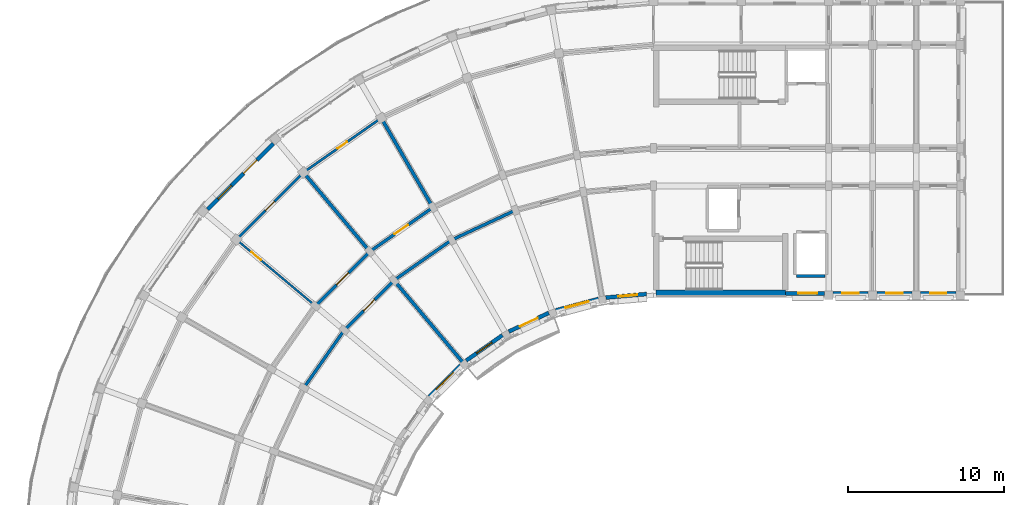
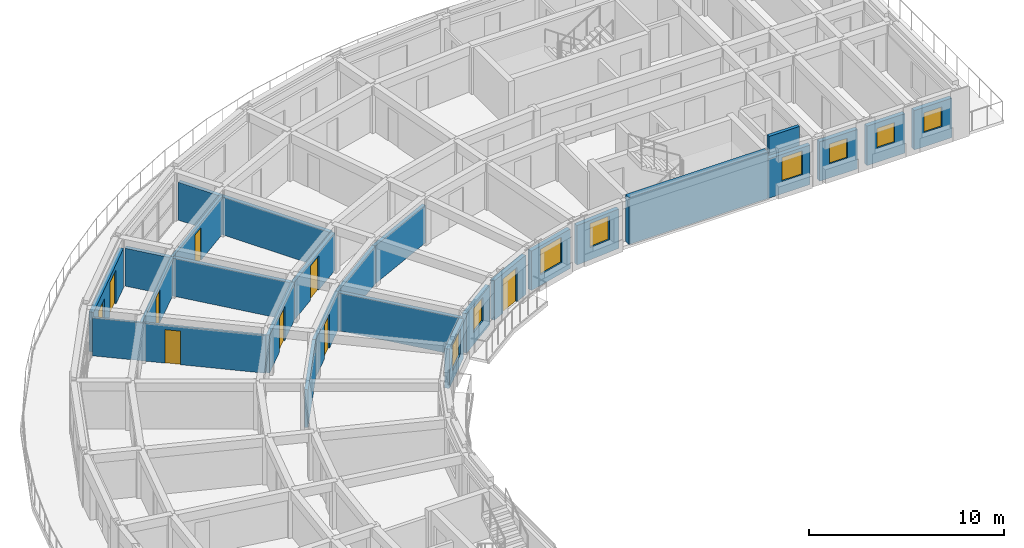
# One storey, part 8 of 16: 24 walls, 9 windows, 8 doors, 17 openings.
"""IFC4 building model written with IfcOpenShell, lengths in metres."""

from ifc_helpers import new_model, si_unit, direction, frame, frame_2d, origin, place, context, subcontext, project, spatial, rectangle, extrude, material, layer, layer_set, type_object, element, fill, save


model = new_model("IFC4")

# Units and contexts
model_context = context("Model", 3, precision=1e-05, world=origin(), true_north=direction((0.0, 1.0)))
body_context = subcontext(model_context, "Body", "Model", "MODEL_VIEW")
ifc_project = project(units=[si_unit("LENGTHUNIT", "METRE"), si_unit("AREAUNIT", "SQUARE_METRE"), si_unit("VOLUMEUNIT", "CUBIC_METRE"), si_unit("PLANEANGLEUNIT", "RADIAN"), si_unit("MASSUNIT", "GRAM", prefix="KILO")], contexts=[model_context])

# Site, building, storey
site_placement = place(None, origin())
site = spatial("IfcSite", under=ifc_project, at=site_placement, CompositionType="ELEMENT")
building_placement = place(site_placement, origin())
building = spatial("IfcBuilding", under=site, at=building_placement, Name="Kiranvali Square Residences", CompositionType="ELEMENT")
storey_placement = place(building_placement, frame((0.0, 0.0, 46.5)))
storey = spatial("IfcBuildingStorey", under=building, at=storey_placement, Name="L14", CompositionType="ELEMENT", Elevation=46.5)

# Walls
ifc_material_1 = material(Name="Autoclaved aerated concrete blockwork masonry", Category="masonry")
ifc_layer_1 = layer(ifc_material_1, 0.199951171875)
ifc_layer_set_1 = layer_set([ifc_layer_1], Name="Autoclaved aerated concrete blockwork masonry")
wall_type_1 = type_object("IfcWallType", Name="WL-COR-200", PredefinedType="STANDARD", material=ifc_layer_set_1)
for number, where, z_axis, x_axis, name in (
    (1, (39.3759765625, 112.044189453125, 0.0), (0.0, 0.0, 1.0), (-0.906307919131, -0.422617978463, 0.0), "L14 architectural wall WL-L14-A-CCI-2"),
    (2, (35.300048828125, 110.1435546875, 0.0), (0.0, 0.0, 1.0), (-0.819155404658, -0.573571637217, 0.0), "L14 architectural wall WL-L14-A-CCI-3"),
):
    element("IfcWall", number, at=place(storey_placement, frame(where, z_axis=z_axis, x_axis=x_axis)), inside=storey, type_object=wall_type_1, Name=name, PredefinedType="STANDARD", context=body_context, shape_type="SweptSolid", body=[
        extrude(rectangle(XDim=4.497314453125, YDim=0.199951171875, at=frame_2d((2.24853515625, 0.0))), origin(), (0.0, 0.0, 1.0), 2.3720703125),
    ])

# Wall, opening, door
wall_1_placement = place(storey_placement, frame((34.10009765625, 112.221923828125, 0.0), z_axis=(0.0, 0.0, 1.0), x_axis=(-0.819140911474, -0.573592335331, 0.0)))
wall_1 = element("IfcWall", 3, at=wall_1_placement, inside=storey, type_object=wall_type_1, Name="L14 architectural wall WL-L14-A-CCO-3", PredefinedType="STANDARD", context=body_context, shape_type="SweptSolid", body=[
    extrude(rectangle(XDim=4.915771484375, YDim=0.199951171875, at=frame_2d((2.4580078125, 0.0))), origin(), (0.0, 0.0, 1.0), 2.3720703125),
])
opening_1_placement = place(wall_1_placement, frame((1.937744140625, 0.0, 0.0)))
opening_1 = element("IfcOpeningElement", 4, at=opening_1_placement, cuts=wall_1, Name="Opening FD-APT-60B", PredefinedType="OPENING", context=body_context, shape_type="SweptSolid", body=[
    extrude(rectangle(XDim=1.0400390625, YDim=2.14990234375, at=frame_2d((0.52001953125, 1.074951171875))), frame((0.0, 0.10986328125, 0.0), z_axis=(0.0, -1.0, 0.0), x_axis=(1.0, 0.0, 0.0)), (0.0, 0.0, 1.0), 0.219970703125),
])
ifc_material_2 = material(Name="Fire-rated acoustic hardwood and mineral-core door assembly", Category="wood")
door_type_1 = type_object("IfcDoorType", Name="DR-APT-1040", OperationType="NOTDEFINED", PredefinedType="DOOR", material=ifc_material_2)
door_1_placement = place(opening_1_placement, frame((1.0400390625, 0.0, 0.0), z_axis=(0.0, 0.0, 1.0), x_axis=(-1.0, 0.0, 0.0)))
door_1 = element("IfcDoor", 5, at=door_1_placement, inside=storey, type_object=door_type_1, Name="L14 door DR-L14-0880 (DR-APT-1040)", OperationType="SINGLE_SWING_RIGHT", OverallHeight=2.14990234375, OverallWidth=1.0400390625, PredefinedType="DOOR", context=body_context, shape_type="SweptSolid", body=[
    extrude(rectangle(XDim=1.0400390625, YDim=2.14990234375, at=frame_2d((0.52001953125, 1.074951171875))), frame((0.0, 0.02490234375, 0.0), z_axis=(0.0, -1.0, 0.0), x_axis=(1.0, 0.0, 0.0)), (0.0, 0.0, 1.0), 0.050048828125),
])
fill(opening_1, door_1)

wall_2_placement = place(storey_placement, frame((31.615966796875, 107.56396484375, 0.0), z_axis=(0.0, 0.0, 1.0), x_axis=(-0.707106781187, -0.707106781187, 0.0)))
wall_2 = element("IfcWall", 6, at=wall_2_placement, inside=storey, type_object=wall_type_1, Name="L14 architectural wall WL-L14-A-CCI-4", PredefinedType="STANDARD", context=body_context, shape_type="SweptSolid", body=[
    extrude(rectangle(XDim=4.4970703125, YDim=0.199951171875, at=frame_2d((2.24853515625, 0.0))), origin(), (0.0, 0.0, 1.0), 2.3720703125),
])
opening_2_placement = place(wall_2_placement, frame((1.74853515625, 0.0, 0.0)))
opening_2 = element("IfcOpeningElement", 7, at=opening_2_placement, cuts=wall_2, Name="Opening FD-APT-60", PredefinedType="OPENING", context=body_context, shape_type="SweptSolid", body=[
    extrude(rectangle(XDim=1.0, YDim=2.14990234375, at=frame_2d((0.5, 1.074951171875))), frame((0.0, 0.10986328125, 0.0), z_axis=(0.0, -1.0, 0.0), x_axis=(1.0, 0.0, 0.0)), (0.0, 0.0, 1.0), 0.219970703125),
])
door_type_2 = type_object("IfcDoorType", Name="DR-APT-1000", OperationType="NOTDEFINED", PredefinedType="DOOR", material=ifc_material_2)
door_2_placement = place(opening_2_placement, frame((1.0, 0.0, 0.0), z_axis=(0.0, 0.0, 1.0), x_axis=(-1.0, 0.0, 0.0)))
door_2 = element("IfcDoor", 8, at=door_2_placement, inside=storey, type_object=door_type_2, Name="L14 door DR-L14-0892 (DR-APT-1000)", OperationType="SINGLE_SWING_RIGHT", OverallHeight=2.14990234375, OverallWidth=1.0, PredefinedType="DOOR", context=body_context, shape_type="SweptSolid", body=[
    extrude(rectangle(XDim=1.0, YDim=2.14990234375, at=frame_2d((0.5, 1.074951171875))), frame((0.0, 0.02490234375, 0.0), z_axis=(0.0, -1.0, 0.0), x_axis=(1.0, 0.0, 0.0)), (0.0, 0.0, 1.0), 0.050048828125),
])
fill(opening_2, door_2)

wall_3_placement = place(storey_placement, frame((30.073486328125, 109.40234375, 0.0), z_axis=(0.0, 0.0, 1.0), x_axis=(-0.707106781187, -0.707106781187, 0.0)))
wall_3 = element("IfcWall", 9, at=wall_3_placement, inside=storey, type_object=wall_type_1, Name="L14 architectural wall WL-L14-A-CCO-4", PredefinedType="STANDARD", context=body_context, shape_type="SweptSolid", body=[
    extrude(rectangle(XDim=4.91552734375, YDim=0.199951171875, at=frame_2d((2.457763671875, 0.0))), origin(), (0.0, 0.0, 1.0), 2.3720703125),
])
opening_3_placement = place(wall_3_placement, frame((1.917724609375, 0.0, 0.0)))
opening_3 = element("IfcOpeningElement", 10, at=opening_3_placement, cuts=wall_3, Name="Opening FD-APT-60C", PredefinedType="OPENING", context=body_context, shape_type="SweptSolid", body=[
    extrude(rectangle(XDim=1.080078125, YDim=2.14990234375, at=frame_2d((0.5400390625, 1.074951171875))), frame((0.0, 0.10986328125, 0.0), z_axis=(0.0, -1.0, 0.0), x_axis=(1.0, 0.0, 0.0)), (0.0, 0.0, 1.0), 0.219970703125),
])
door_type_3 = type_object("IfcDoorType", Name="DR-APT-1080", OperationType="NOTDEFINED", PredefinedType="DOOR", material=ifc_material_2)
door_3_placement = place(opening_3_placement, frame((1.080078125, 0.0, 0.0), z_axis=(0.0, 0.0, 1.0), x_axis=(-1.0, 0.0, 0.0)))
door_3 = element("IfcDoor", 11, at=door_3_placement, inside=storey, type_object=door_type_3, Name="L14 door DR-L14-0882 (DR-APT-1080)", OperationType="SINGLE_SWING_RIGHT", OverallHeight=2.14990234375, OverallWidth=1.080078125, PredefinedType="DOOR", context=body_context, shape_type="SweptSolid", body=[
    extrude(rectangle(XDim=1.080078125, YDim=2.14990234375, at=frame_2d((0.5400390625, 1.074951171875))), frame((0.0, 0.02490234375, 0.0), z_axis=(0.0, -1.0, 0.0), x_axis=(1.0, 0.0, 0.0)), (0.0, 0.0, 1.0), 0.050048828125),
])
fill(opening_3, door_3)

# Walls
wall_4_placement = place(storey_placement, frame((28.43603515625, 104.384033203125, 0.0), z_axis=(0.0, 0.0, 1.0), x_axis=(-0.573571637217, -0.819155404658, 0.0)))
element("IfcWall", 12, at=wall_4_placement, inside=storey, type_object=wall_type_1, Name="L14 architectural wall WL-L14-A-CCI-5", PredefinedType="STANDARD", context=body_context, shape_type="SweptSolid", body=[
    extrude(rectangle(XDim=4.497314453125, YDim=0.199951171875, at=frame_2d((2.24853515625, 0.0))), origin(), (0.0, 0.0, 1.0), 2.3720703125),
])
ifc_layer_2 = layer(ifc_material_1, 0.219970703125)
ifc_layer_set_2 = layer_set([ifc_layer_2], Name="Autoclaved aerated concrete blockwork masonry")
wall_type_2 = type_object("IfcWallType", Name="WL-DEM-220", PredefinedType="STANDARD", material=ifc_layer_set_2)
wall_5_placement = place(storey_placement, frame((34.050048828125, 112.30859375, 0.0), z_axis=(0.0, 0.0, 1.0), x_axis=(-0.500002045973, 0.866024222538, 0.0)))
element("IfcWall", 13, at=wall_5_placement, inside=storey, type_object=wall_type_2, Name="L14 architectural wall WL-L14-A-RADO-3", PredefinedType="STANDARD", context=body_context, shape_type="SweptSolid", body=[
    extrude(rectangle(XDim=9.02001953125, YDim=0.219970703125, at=frame_2d((4.510009765625, 0.0))), origin(), (0.0, 0.0, 1.0), 2.3720703125),
])
wall_6_placement = place(storey_placement, frame((35.987060546875, 102.354736328125, 0.0), z_axis=(0.0, 0.0, 1.0), x_axis=(-0.642784846501, 0.766046761698, 0.0)))
element("IfcWall", 14, at=wall_6_placement, inside=storey, type_object=wall_type_2, Name="L14 architectural wall WL-L14-A-RADI-4", PredefinedType="STANDARD", context=body_context, shape_type="SweptSolid", body=[
    extrude(rectangle(XDim=6.75, YDim=0.219970703125, at=frame_2d((3.375, 0.0))), origin(), (0.0, 0.0, 1.0), 2.3720703125),
])
wall_7_placement = place(storey_placement, frame((30.009033203125, 109.47900390625, 0.0), z_axis=(0.0, 0.0, 1.0), x_axis=(-0.642784468535, 0.766047078847, 0.0)))
element("IfcWall", 15, at=wall_7_placement, inside=storey, type_object=wall_type_2, Name="L14 architectural wall WL-L14-A-RADO-4", PredefinedType="STANDARD", context=body_context, shape_type="SweptSolid", body=[
    extrude(rectangle(XDim=9.02001953125, YDim=0.219970703125, at=frame_2d((4.510009765625, 0.0))), origin(), (0.0, 0.0, 1.0), 2.3720703125),
])

# Wall, openings, door, window
ifc_material_3 = material(Name="Breathable lime-rendered clay brick masonry", Category="masonry")
ifc_layer_3 = layer(ifc_material_3, 0.25)
ifc_layer_set_3 = layer_set([ifc_layer_3], Name="Breathable lime-rendered clay brick masonry")
wall_type_3 = type_object("IfcWallType", Name="WL-EXT-250", PredefinedType="STANDARD", material=ifc_layer_set_3)
wall_8_placement = place(storey_placement, frame((23.906982421875, 116.30224609375, 0.0), z_axis=(0.0, 0.0, 1.0), x_axis=(-0.707106781187, -0.707106781187, 0.0)))
wall_8 = element("IfcWall", 16, at=wall_8_placement, inside=storey, type_object=wall_type_3, Name="L14 exterior wall A-L14-CRV-04", PredefinedType="STANDARD", context=body_context, shape_type="SweptSolid", body=[
    extrude(rectangle(XDim=5.95263671875, YDim=0.25, at=frame_2d((2.976318359375, 0.0))), origin(), (0.0, 0.0, 1.0), 2.47998046875),
])
opening_4_placement = place(wall_8_placement, frame((3.79345703125, 0.0, 0.3798828125)))
opening_4 = element("IfcOpeningElement", 17, at=opening_4_placement, cuts=wall_8, Name="Opening W-06", PredefinedType="OPENING", context=body_context, shape_type="SweptSolid", body=[
    extrude(rectangle(XDim=1.199951171875, YDim=1.5, at=frame_2d((0.60009765625, 0.75))), frame((0.0, 0.135009765625, 0.0), z_axis=(0.0, -1.0, 0.0), x_axis=(1.0, 0.0, 0.0)), (0.0, 0.0, 1.0), 0.27001953125),
])
opening_5_placement = place(wall_8_placement, frame((1.483642578125, 0.0, 0.0)))
opening_5 = element("IfcOpeningElement", 18, at=opening_5_placement, cuts=wall_8, Name="Opening ED-BAL-1", PredefinedType="OPENING", context=body_context, shape_type="SweptSolid", body=[
    extrude(rectangle(XDim=1.199951171875, YDim=2.14990234375, at=frame_2d((0.60009765625, 1.074951171875))), frame((0.0, 0.135009765625, 0.0), z_axis=(0.0, -1.0, 0.0), x_axis=(1.0, 0.0, 0.0)), (0.0, 0.0, 1.0), 0.27001953125),
])
ifc_material_4 = material(Name="Anodised bronze aluminium framing", Category="aluminium")
door_type_4 = type_object("IfcDoorType", Name="DR-BAL-1200", OperationType="NOTDEFINED", PredefinedType="DOOR", material=ifc_material_4)
door_4_placement = place(opening_5_placement, frame((1.199951171875, 0.0, 0.0), z_axis=(0.0, 0.0, 1.0), x_axis=(-1.0, 0.0, 0.0)))
door_4 = element("IfcDoor", 19, at=door_4_placement, inside=storey, type_object=door_type_4, Name="L14 balcony terrace door", OperationType="SINGLE_SWING_LEFT", OverallHeight=2.14990234375, OverallWidth=1.199951171875, PredefinedType="DOOR", context=body_context, shape_type="SweptSolid", body=[
    extrude(rectangle(XDim=1.199951171875, YDim=2.14990234375, at=frame_2d((0.60009765625, 1.074951171875))), frame((0.0, 0.02490234375, 0.0), z_axis=(0.0, -1.0, 0.0), x_axis=(1.0, 0.0, 0.0)), (0.0, 0.0, 1.0), 0.050048828125),
])
fill(opening_5, door_4)
ifc_material_5 = material(Name="Solar-control low-e double glazing", Category="glass")
window_type_1 = type_object("IfcWindowType", Name="WIN-RES-1200x1500", PartitioningType="SINGLE_PANEL", PredefinedType="WINDOW", material=ifc_material_5)
window_1_placement = place(opening_4_placement, origin())
window_1 = element("IfcWindow", 20, at=window_1_placement, inside=storey, type_object=window_type_1, Name="L14 recessed window A-L14-CRV-04", OverallHeight=1.5, OverallWidth=1.199951171875, PartitioningType="SINGLE_PANEL", PredefinedType="WINDOW", context=body_context, shape_type="SweptSolid", body=[
    extrude(rectangle(XDim=1.199951171875, YDim=1.5, at=frame_2d((0.60009765625, 0.75))), frame((0.0, 0.030029296875, 0.0), z_axis=(0.0, -1.0, 0.0), x_axis=(1.0, 0.0, 0.0)), (0.0, 0.0, 1.0), 0.06005859375),
])
fill(opening_4, window_1)

# Wall, opening, window
wall_9_placement = place(storey_placement, frame((47.750732421875, 106.686279296875, 0.0), z_axis=(0.0, 0.0, 1.0), x_axis=(-0.996188433092, -0.087227322402, 0.0)))
wall_9 = element("IfcWall", 21, at=wall_9_placement, inside=storey, type_object=wall_type_3, Name="L14 exterior wall A-L14-GDN-00", PredefinedType="STANDARD", context=body_context, shape_type="SweptSolid", body=[
    extrude(rectangle(XDim=2.608642578125, YDim=0.25, at=frame_2d((1.30419921875, 0.0))), origin(), (0.0, 0.0, 1.0), 2.471923828125),
])
opening_6_placement = place(wall_9_placement, frame((0.5986328125, 0.0, 0.77197265625)))
opening_6 = element("IfcOpeningElement", 22, at=opening_6_placement, cuts=wall_9, Name="Opening W-06", PredefinedType="OPENING", context=body_context, shape_type="SweptSolid", body=[
    extrude(rectangle(XDim=1.199951171875, YDim=1.5, at=frame_2d((0.60009765625, 0.75))), frame((0.0, 0.135009765625, 0.0), z_axis=(0.0, -1.0, 0.0), x_axis=(1.0, 0.0, 0.0)), (0.0, 0.0, 1.0), 0.27001953125),
])
window_2_placement = place(opening_6_placement, origin())
window_2 = element("IfcWindow", 23, at=window_2_placement, inside=storey, type_object=window_type_1, Name="L14 recessed window A-L14-GDN-00", OverallHeight=1.5, OverallWidth=1.199951171875, PartitioningType="SINGLE_PANEL", PredefinedType="WINDOW", context=body_context, shape_type="SweptSolid", body=[
    extrude(rectangle(XDim=1.199951171875, YDim=1.5, at=frame_2d((0.60009765625, 0.75))), frame((0.0, 0.030029296875, 0.0), z_axis=(0.0, -1.0, 0.0), x_axis=(1.0, 0.0, 0.0)), (0.0, 0.0, 1.0), 0.06005859375),
])
fill(opening_6, window_2)

wall_10_placement = place(storey_placement, frame((44.682373046875, 106.3759765625, 0.0), z_axis=(0.0, 0.0, 1.0), x_axis=(-0.965921001908, -0.258837049266, 0.0)))
wall_10 = element("IfcWall", 24, at=wall_10_placement, inside=storey, type_object=wall_type_3, Name="L14 exterior wall A-L14-GDN-01", PredefinedType="STANDARD", context=body_context, shape_type="SweptSolid", body=[
    extrude(rectangle(XDim=2.8203125, YDim=0.25, at=frame_2d((1.41015625, 0.0))), origin(), (0.0, 0.0, 1.0), 2.471923828125),
])
opening_7_placement = place(wall_10_placement, frame((0.635009765625, 0.0, 0.672119140625)))
opening_7 = element("IfcOpeningElement", 25, at=opening_7_placement, cuts=wall_10, Name="Opening W-18", PredefinedType="OPENING", context=body_context, shape_type="SweptSolid", body=[
    extrude(rectangle(XDim=1.550048828125, YDim=1.60009765625, at=frame_2d((0.77490234375, 0.800048828125))), frame((0.0, 0.135009765625, 0.0), z_axis=(0.0, -1.0, 0.0), x_axis=(1.0, 0.0, 0.0)), (0.0, 0.0, 1.0), 0.27001953125),
])
window_type_2 = type_object("IfcWindowType", Name="WIN-GDN-1550x1600", PartitioningType="DOUBLE_PANEL_VERTICAL", PredefinedType="WINDOW", material=ifc_material_5)
window_3_placement = place(opening_7_placement, origin())
window_3 = element("IfcWindow", 26, at=window_3_placement, inside=storey, type_object=window_type_2, Name="L14 recessed window A-L14-GDN-01", OverallHeight=1.60009765625, OverallWidth=1.550048828125, PartitioningType="DOUBLE_PANEL_VERTICAL", PredefinedType="WINDOW", context=body_context, shape_type="SweptSolid", body=[
    extrude(rectangle(XDim=1.550048828125, YDim=1.60009765625, at=frame_2d((0.77490234375, 0.800048828125))), frame((0.0, 0.030029296875, 0.0), z_axis=(0.0, -1.0, 0.0), x_axis=(1.0, 0.0, 0.0)), (0.0, 0.0, 1.0), 0.06005859375),
])
fill(opening_7, window_3)

# Wall, opening, door
wall_11_placement = place(storey_placement, frame((41.510009765625, 105.48291015625, 0.0), z_axis=(0.0, 0.0, 1.0), x_axis=(-0.906284857185, -0.422667431484, 0.0)))
wall_11 = element("IfcWall", 27, at=wall_11_placement, inside=storey, type_object=wall_type_3, Name="L14 exterior wall A-L14-GDN-02", PredefinedType="STANDARD", context=body_context, shape_type="SweptSolid", body=[
    extrude(rectangle(XDim=2.81982421875, YDim=0.25, at=frame_2d((1.409912109375, 0.0))), origin(), (0.0, 0.0, 1.0), 2.471923828125),
])
opening_8_placement = place(wall_11_placement, frame((0.780029296875, 0.0, 0.0)))
opening_8 = element("IfcOpeningElement", 28, at=opening_8_placement, cuts=wall_11, Name="Opening ED-BAL-2", PredefinedType="OPENING", context=body_context, shape_type="SweptSolid", body=[
    extrude(rectangle(XDim=1.260009765625, YDim=2.14990234375, at=frame_2d((0.6298828125, 1.074951171875))), frame((0.0, 0.135009765625, 0.0), z_axis=(0.0, -1.0, 0.0), x_axis=(1.0, 0.0, 0.0)), (0.0, 0.0, 1.0), 0.27001953125),
])
door_type_5 = type_object("IfcDoorType", Name="DR-BAL-1260", OperationType="NOTDEFINED", PredefinedType="DOOR", material=ifc_material_4)
door_5_placement = place(opening_8_placement, origin())
door_5 = element("IfcDoor", 29, at=door_5_placement, inside=storey, type_object=door_type_5, Name="L14 balcony terrace door", OperationType="SINGLE_SWING_LEFT", OverallHeight=2.14990234375, OverallWidth=1.260009765625, PredefinedType="DOOR", context=body_context, shape_type="SweptSolid", body=[
    extrude(rectangle(XDim=1.260009765625, YDim=2.14990234375, at=frame_2d((0.6298828125, 1.074951171875))), frame((0.0, 0.02490234375, 0.0), z_axis=(0.0, -1.0, 0.0), x_axis=(1.0, 0.0, 0.0)), (0.0, 0.0, 1.0), 0.050048828125),
])
fill(opening_8, door_5)

# Wall, opening, window
wall_12_placement = place(storey_placement, frame((38.541259765625, 104.052734375, 0.0), z_axis=(0.0, 0.0, 1.0), x_axis=(-0.819154644592, -0.573572722716, 0.0)))
wall_12 = element("IfcWall", 30, at=wall_12_placement, inside=storey, type_object=wall_type_3, Name="L14 exterior wall A-L14-GDN-03", PredefinedType="STANDARD", context=body_context, shape_type="SweptSolid", body=[
    extrude(rectangle(XDim=2.8203125, YDim=0.25, at=frame_2d((1.41015625, 0.0))), origin(), (0.0, 0.0, 1.0), 2.471923828125),
])
opening_9_placement = place(wall_12_placement, frame((0.81005859375, 0.0, 0.77197265625)))
opening_9 = element("IfcOpeningElement", 31, at=opening_9_placement, cuts=wall_12, Name="Opening W-06", PredefinedType="OPENING", context=body_context, shape_type="SweptSolid", body=[
    extrude(rectangle(XDim=1.199951171875, YDim=1.5, at=frame_2d((0.60009765625, 0.75))), frame((0.0, 0.135009765625, 0.0), z_axis=(0.0, -1.0, 0.0), x_axis=(1.0, 0.0, 0.0)), (0.0, 0.0, 1.0), 0.27001953125),
])
window_4_placement = place(opening_9_placement, origin())
window_4 = element("IfcWindow", 32, at=window_4_placement, inside=storey, type_object=window_type_1, Name="L14 recessed window A-L14-GDN-03", OverallHeight=1.5, OverallWidth=1.199951171875, PartitioningType="SINGLE_PANEL", PredefinedType="WINDOW", context=body_context, shape_type="SweptSolid", body=[
    extrude(rectangle(XDim=1.199951171875, YDim=1.5, at=frame_2d((0.60009765625, 0.75))), frame((0.0, 0.030029296875, 0.0), z_axis=(0.0, -1.0, 0.0), x_axis=(1.0, 0.0, 0.0)), (0.0, 0.0, 1.0), 0.06005859375),
])
fill(opening_9, window_4)

wall_13_placement = place(storey_placement, frame((35.86572265625, 102.12841796875, 0.0), z_axis=(0.0, 0.0, 1.0), x_axis=(-0.707106781187, -0.707106781187, 0.0)))
wall_13 = element("IfcWall", 33, at=wall_13_placement, inside=storey, type_object=wall_type_3, Name="L14 exterior wall A-L14-GDN-04", PredefinedType="STANDARD", context=body_context, shape_type="SweptSolid", body=[
    extrude(rectangle(XDim=2.820068359375, YDim=0.25, at=frame_2d((1.41015625, 0.0))), origin(), (0.0, 0.0, 1.0), 2.471923828125),
])
opening_10_placement = place(wall_13_placement, frame((0.635009765625, 0.0, 0.672119140625)))
opening_10 = element("IfcOpeningElement", 34, at=opening_10_placement, cuts=wall_13, Name="Opening W-18", PredefinedType="OPENING", context=body_context, shape_type="SweptSolid", body=[
    extrude(rectangle(XDim=1.550048828125, YDim=1.60009765625, at=frame_2d((0.77490234375, 0.800048828125))), frame((0.0, 0.135009765625, 0.0), z_axis=(0.0, -1.0, 0.0), x_axis=(1.0, 0.0, 0.0)), (0.0, 0.0, 1.0), 0.27001953125),
])
window_5_placement = place(opening_10_placement, origin())
window_5 = element("IfcWindow", 35, at=window_5_placement, inside=storey, type_object=window_type_2, Name="L14 recessed window A-L14-GDN-04", OverallHeight=1.60009765625, OverallWidth=1.550048828125, PartitioningType="DOUBLE_PANEL_VERTICAL", PredefinedType="WINDOW", context=body_context, shape_type="SweptSolid", body=[
    extrude(rectangle(XDim=1.550048828125, YDim=1.60009765625, at=frame_2d((0.77490234375, 0.800048828125))), frame((0.0, 0.030029296875, 0.0), z_axis=(0.0, -1.0, 0.0), x_axis=(1.0, 0.0, 0.0)), (0.0, 0.0, 1.0), 0.06005859375),
])
fill(opening_10, window_5)

wall_14_placement = place(storey_placement, frame((56.62841796875, 106.72509765625, 0.0), z_axis=(0.0, 0.0, 1.0), x_axis=(1.0, 0.0, 0.0)))
wall_14 = element("IfcWall", 36, at=wall_14_placement, inside=storey, type_object=wall_type_3, Name="L14 exterior wall A-L14-A1IN-0", PredefinedType="STANDARD", context=body_context, shape_type="SweptSolid", body=[
    extrude(rectangle(XDim=2.4931640625, YDim=0.25, at=frame_2d((1.24658203125, 0.0))), origin(), (0.0, 0.0, 1.0), 2.471923828125),
])
opening_11_placement = place(wall_14_placement, frame((0.821533203125, 0.0, 0.77197265625)))
opening_11 = element("IfcOpeningElement", 37, at=opening_11_placement, cuts=wall_14, Name="Opening W-06", PredefinedType="OPENING", context=body_context, shape_type="SweptSolid", body=[
    extrude(rectangle(XDim=1.199951171875, YDim=1.5, at=frame_2d((0.60009765625, 0.75))), frame((0.0, 0.135009765625, 0.0), z_axis=(0.0, -1.0, 0.0), x_axis=(1.0, 0.0, 0.0)), (0.0, 0.0, 1.0), 0.27001953125),
])
window_6_placement = place(opening_11_placement, origin())
window_6 = element("IfcWindow", 38, at=window_6_placement, inside=storey, type_object=window_type_1, Name="L14 recessed window A-L14-A1IN-0", OverallHeight=1.5, OverallWidth=1.199951171875, PartitioningType="SINGLE_PANEL", PredefinedType="WINDOW", context=body_context, shape_type="SweptSolid", body=[
    extrude(rectangle(XDim=1.199951171875, YDim=1.5, at=frame_2d((0.60009765625, 0.75))), frame((0.0, 0.030029296875, 0.0), z_axis=(0.0, -1.0, 0.0), x_axis=(1.0, 0.0, 0.0)), (0.0, 0.0, 1.0), 0.06005859375),
])
fill(opening_11, window_6)

wall_15_placement = place(storey_placement, frame((59.678466796875, 106.72509765625, 0.0), z_axis=(0.0, 0.0, 1.0), x_axis=(1.0, 0.0, 0.0)))
wall_15 = element("IfcWall", 39, at=wall_15_placement, inside=storey, type_object=wall_type_3, Name="L14 exterior wall A-L14-A1I-0", PredefinedType="STANDARD", context=body_context, shape_type="SweptSolid", body=[
    extrude(rectangle(XDim=2.242919921875, YDim=0.25, at=frame_2d((1.12158203125, 0.0))), origin(), (0.0, 0.0, 1.0), 2.471923828125),
])
opening_12_placement = place(wall_15_placement, frame((0.596435546875, 0.0, 0.8798828125)))
opening_12 = element("IfcOpeningElement", 40, at=opening_12_placement, cuts=wall_15, Name="Opening W-24", PredefinedType="OPENING", context=body_context, shape_type="SweptSolid", body=[
    extrude(rectangle(XDim=1.050048828125, YDim=1.25, at=frame_2d((0.52490234375, 0.625))), frame((0.0, 0.135009765625, 0.0), z_axis=(0.0, -1.0, 0.0), x_axis=(1.0, 0.0, 0.0)), (0.0, 0.0, 1.0), 0.27001953125),
])
window_type_3 = type_object("IfcWindowType", Name="WIN-COR-1050x1250", PartitioningType="SINGLE_PANEL", PredefinedType="WINDOW", material=ifc_material_5)
window_7_placement = place(opening_12_placement, origin())
window_7 = element("IfcWindow", 41, at=window_7_placement, inside=storey, type_object=window_type_3, Name="L14 recessed window A-L14-A1I-0", OverallHeight=1.25, OverallWidth=1.050048828125, PartitioningType="SINGLE_PANEL", PredefinedType="WINDOW", context=body_context, shape_type="SweptSolid", body=[
    extrude(rectangle(XDim=1.050048828125, YDim=1.25, at=frame_2d((0.52490234375, 0.625))), frame((0.0, 0.030029296875, 0.0), z_axis=(0.0, -1.0, 0.0), x_axis=(1.0, 0.0, 0.0)), (0.0, 0.0, 1.0), 0.06005859375),
])
fill(opening_12, window_7)

wall_16_placement = place(storey_placement, frame((62.478515625, 106.72509765625, 0.0), z_axis=(0.0, 0.0, 1.0), x_axis=(1.0, 0.0, 0.0)))
wall_16 = element("IfcWall", 42, at=wall_16_placement, inside=storey, type_object=wall_type_3, Name="L14 exterior wall A-L14-A1I-1", PredefinedType="STANDARD", context=body_context, shape_type="SweptSolid", body=[
    extrude(rectangle(XDim=2.242919921875, YDim=0.25, at=frame_2d((1.12158203125, 0.0))), origin(), (0.0, 0.0, 1.0), 2.471923828125),
])
opening_13_placement = place(wall_16_placement, frame((0.596435546875, 0.0, 0.8798828125)))
opening_13 = element("IfcOpeningElement", 43, at=opening_13_placement, cuts=wall_16, Name="Opening W-24", PredefinedType="OPENING", context=body_context, shape_type="SweptSolid", body=[
    extrude(rectangle(XDim=1.050048828125, YDim=1.25, at=frame_2d((0.52490234375, 0.625))), frame((0.0, 0.135009765625, 0.0), z_axis=(0.0, -1.0, 0.0), x_axis=(1.0, 0.0, 0.0)), (0.0, 0.0, 1.0), 0.27001953125),
])
window_8_placement = place(opening_13_placement, origin())
window_8 = element("IfcWindow", 44, at=window_8_placement, inside=storey, type_object=window_type_3, Name="L14 recessed window A-L14-A1I-1", OverallHeight=1.25, OverallWidth=1.050048828125, PartitioningType="SINGLE_PANEL", PredefinedType="WINDOW", context=body_context, shape_type="SweptSolid", body=[
    extrude(rectangle(XDim=1.050048828125, YDim=1.25, at=frame_2d((0.52490234375, 0.625))), frame((0.0, 0.030029296875, 0.0), z_axis=(0.0, -1.0, 0.0), x_axis=(1.0, 0.0, 0.0)), (0.0, 0.0, 1.0), 0.06005859375),
])
fill(opening_13, window_8)

wall_17_placement = place(storey_placement, frame((65.278564453125, 106.72509765625, 0.0), z_axis=(0.0, 0.0, 1.0), x_axis=(1.0, 0.0, 0.0)))
wall_17 = element("IfcWall", 45, at=wall_17_placement, inside=storey, type_object=wall_type_3, Name="L14 exterior wall A-L14-A1I-2", PredefinedType="STANDARD", context=body_context, shape_type="SweptSolid", body=[
    extrude(rectangle(XDim=2.242919921875, YDim=0.25, at=frame_2d((1.12158203125, 0.0))), origin(), (0.0, 0.0, 1.0), 2.471923828125),
])
opening_14_placement = place(wall_17_placement, frame((0.596435546875, 0.0, 0.8798828125)))
opening_14 = element("IfcOpeningElement", 46, at=opening_14_placement, cuts=wall_17, Name="Opening W-24", PredefinedType="OPENING", context=body_context, shape_type="SweptSolid", body=[
    extrude(rectangle(XDim=1.050048828125, YDim=1.25, at=frame_2d((0.52490234375, 0.625))), frame((0.0, 0.135009765625, 0.0), z_axis=(0.0, -1.0, 0.0), x_axis=(1.0, 0.0, 0.0)), (0.0, 0.0, 1.0), 0.27001953125),
])
window_9_placement = place(opening_14_placement, origin())
window_9 = element("IfcWindow", 47, at=window_9_placement, inside=storey, type_object=window_type_3, Name="L14 recessed window A-L14-A1I-2", OverallHeight=1.25, OverallWidth=1.050048828125, PartitioningType="SINGLE_PANEL", PredefinedType="WINDOW", context=body_context, shape_type="SweptSolid", body=[
    extrude(rectangle(XDim=1.050048828125, YDim=1.25, at=frame_2d((0.52490234375, 0.625))), frame((0.0, 0.030029296875, 0.0), z_axis=(0.0, -1.0, 0.0), x_axis=(1.0, 0.0, 0.0)), (0.0, 0.0, 1.0), 0.06005859375),
])
fill(opening_14, window_9)

# Wall, opening, door
ifc_material_6 = material(Name="Acoustic gypsum board drylined partition", Category="gypsum")
ifc_layer_4 = layer(ifc_material_6, 0.125)
ifc_layer_set_4 = layer_set([ifc_layer_4], Name="Acoustic gypsum board drylined partition")
wall_type_4 = type_object("IfcWallType", Name="WL-PRT-125", PredefinedType="PARTITIONING", material=ifc_layer_set_4)
wall_18_placement = place(storey_placement, frame((26.52099609375, 105.990966796875, 0.0), z_axis=(0.0, 0.0, 1.0), x_axis=(-0.766047078847, 0.642784468535, 0.0)))
wall_18 = element("IfcWall", 48, at=wall_18_placement, inside=storey, type_object=wall_type_4, Name="L14 architectural wall WL-L14-A-RADO-5", PredefinedType="PARTITIONING", context=body_context, shape_type="SweptSolid", body=[
    extrude(rectangle(XDim=9.02001953125, YDim=0.125, at=frame_2d((4.510009765625, 0.0))), origin(), (0.0, 0.0, 1.0), 2.3720703125),
])
opening_15_placement = place(wall_18_placement, frame((4.449951171875, 0.0, 0.0)))
opening_15 = element("IfcOpeningElement", 49, at=opening_15_placement, cuts=wall_18, Name="Opening ID-WET", PredefinedType="OPENING", context=body_context, shape_type="SweptSolid", body=[
    extrude(rectangle(XDim=0.800048828125, YDim=2.10009765625, at=frame_2d((0.39990234375, 1.050048828125))), frame((0.0, 0.072509765625, 0.0), z_axis=(0.0, -1.0, 0.0), x_axis=(1.0, 0.0, 0.0)), (0.0, 0.0, 1.0), 0.14501953125),
])
ifc_material_7 = material(Name="Solid seasoned teak hardwood joinery", Category="wood")
door_type_6 = type_object("IfcDoorType", Name="DR-WET-800", OperationType="NOTDEFINED", PredefinedType="DOOR", material=ifc_material_7)
door_6_placement = place(opening_15_placement, frame((0.800048828125, 0.0, 0.0), z_axis=(0.0, 0.0, 1.0), x_axis=(-1.0, 0.0, 0.0)))
door_6 = element("IfcDoor", 50, at=door_6_placement, inside=storey, type_object=door_type_6, Name="L14 door DR-L14-0874 (DR-WET-800)", OperationType="SINGLE_SWING_RIGHT", OverallHeight=2.10009765625, OverallWidth=0.800048828125, PredefinedType="DOOR", context=body_context, shape_type="SweptSolid", body=[
    extrude(rectangle(XDim=0.800048828125, YDim=2.10009765625, at=frame_2d((0.39990234375, 1.050048828125))), frame((0.0, 0.02490234375, 0.0), z_axis=(0.0, -1.0, 0.0), x_axis=(1.0, 0.0, 0.0)), (0.0, 0.0, 1.0), 0.050048828125),
])
fill(opening_15, door_6)

# Walls
ifc_layer_5 = layer(ifc_material_1, 0.199951171875)
ifc_layer_set_5 = layer_set([ifc_layer_5], Name="Autoclaved aerated concrete blockwork masonry")
wall_type_5 = type_object("IfcWallType", Name="WL-SHF-200", PredefinedType="STANDARD", material=ifc_layer_set_5)
wall_19_placement = place(storey_placement, frame((57.35009765625, 107.85009765625, 0.0), z_axis=(0.0, 0.0, 1.0), x_axis=(1.0, 0.0, 0.0)))
element("IfcWall", 51, at=wall_19_placement, inside=storey, type_object=wall_type_5, Name="L14 architectural wall WL-L14-A-LP1-S2", PredefinedType="STANDARD", context=body_context, shape_type="SweptSolid", body=[
    extrude(rectangle(XDim=1.7998046875, YDim=0.199951171875, at=frame_2d((0.89990234375, 0.0))), origin(), (0.0, 0.0, 1.0), 2.929931640625),
])
ifc_material_8 = material(Name="Concrete M45 (45 MPa)", Category="concrete")
ifc_layer_6 = layer(ifc_material_8, 0.320068359375)
ifc_layer_set_6 = layer_set([ifc_layer_6], Name="Concrete M45 (45 MPa)")
wall_type_6 = type_object("IfcWallType", Name="WL-SHR-320", PredefinedType="SHEAR", material=ifc_layer_set_6)
wall_20_placement = place(storey_placement, frame((48.375, 106.77490234375, 0.0), z_axis=(0.0, 0.0, 1.0), x_axis=(1.0, 0.0, 0.0)))
element("IfcWall", 52, at=wall_20_placement, inside=storey, type_object=wall_type_6, Name="Block A core shear wall SW-A2-OUT-L14", PredefinedType="SHEAR", context=body_context, shape_type="SweptSolid", body=[
    extrude(rectangle(XDim=8.25, YDim=0.35009765625, at=frame_2d((4.125, 0.0))), origin(), (0.0, 0.0, 1.0), 2.929931640625),
])

# Wall, opening, door
ifc_layer_7 = layer(ifc_material_1, 0.14990234375)
ifc_layer_set_7 = layer_set([ifc_layer_7], Name="Autoclaved aerated concrete blockwork masonry")
wall_type_7 = type_object("IfcWallType", Name="WL-WET-150", PredefinedType="PLUMBINGWALL", material=ifc_layer_set_7)
wall_21_placement = place(storey_placement, frame((30.800048828125, 117.937744140625, 0.0), z_axis=(0.0, 0.0, 1.0), x_axis=(-0.81913926159, -0.573594691504, 0.0)))
wall_21 = element("IfcWall", 53, at=wall_21_placement, inside=storey, type_object=wall_type_7, Name="L14 architectural wall WL-L14-A-CWET-3", PredefinedType="PLUMBINGWALL", context=body_context, shape_type="SweptSolid", body=[
    extrude(rectangle(XDim=6.066162109375, YDim=0.14990234375, at=frame_2d((3.033203125, 0.0))), origin(), (0.0, 0.0, 1.0), 2.3720703125),
])
opening_16_placement = place(wall_21_placement, frame((2.653076171875, 0.0, 0.0)))
opening_16 = element("IfcOpeningElement", 54, at=opening_16_placement, cuts=wall_21, Name="Opening ID-WET0", PredefinedType="OPENING", context=body_context, shape_type="SweptSolid", body=[
    extrude(rectangle(XDim=0.760009765625, YDim=2.050048828125, at=frame_2d((0.3798828125, 1.02490234375))), frame((0.0, 0.0849609375, 0.0), z_axis=(0.0, -1.0, 0.0), x_axis=(1.0, 0.0, 0.0)), (0.0, 0.0, 1.0), 0.169921875),
])
door_type_7 = type_object("IfcDoorType", Name="DR-WET-760", OperationType="NOTDEFINED", PredefinedType="DOOR", material=ifc_material_7)
door_7_placement = place(opening_16_placement, origin())
door_7 = element("IfcDoor", 55, at=door_7_placement, inside=storey, type_object=door_type_7, Name="L14 door DR-L14-0881 (DR-WET-760)", OperationType="SINGLE_SWING_LEFT", OverallHeight=2.050048828125, OverallWidth=0.760009765625, PredefinedType="DOOR", context=body_context, shape_type="SweptSolid", body=[
    extrude(rectangle(XDim=0.760009765625, YDim=2.050048828125, at=frame_2d((0.3798828125, 1.02490234375))), frame((0.0, 0.02490234375, 0.0), z_axis=(0.0, -1.0, 0.0), x_axis=(1.0, 0.0, 0.0)), (0.0, 0.0, 1.0), 0.050048828125),
])
fill(opening_16, door_7)

wall_22_placement = place(storey_placement, frame((25.8310546875, 114.458251953125, 0.0), z_axis=(0.0, 0.0, 1.0), x_axis=(-0.707106781187, -0.707106781187, 0.0)))
wall_22 = element("IfcWall", 56, at=wall_22_placement, inside=storey, type_object=wall_type_7, Name="L14 architectural wall WL-L14-A-CWET-4", PredefinedType="PLUMBINGWALL", context=body_context, shape_type="SweptSolid", body=[
    extrude(rectangle(XDim=6.06591796875, YDim=0.14990234375, at=frame_2d((3.032958984375, 0.0))), origin(), (0.0, 0.0, 1.0), 2.3720703125),
])
opening_17_placement = place(wall_22_placement, frame((2.633056640625, 0.0, 0.0)))
opening_17 = element("IfcOpeningElement", 57, at=opening_17_placement, cuts=wall_22, Name="Opening ID-WET", PredefinedType="OPENING", context=body_context, shape_type="SweptSolid", body=[
    extrude(rectangle(XDim=0.800048828125, YDim=2.10009765625, at=frame_2d((0.39990234375, 1.050048828125))), frame((0.0, 0.0849609375, 0.0), z_axis=(0.0, -1.0, 0.0), x_axis=(1.0, 0.0, 0.0)), (0.0, 0.0, 1.0), 0.169921875),
])
door_8_placement = place(opening_17_placement, origin())
door_8 = element("IfcDoor", 58, at=door_8_placement, inside=storey, type_object=door_type_6, Name="L14 door DR-L14-0883 (DR-WET-800)", OperationType="SINGLE_SWING_LEFT", OverallHeight=2.10009765625, OverallWidth=0.800048828125, PredefinedType="DOOR", context=body_context, shape_type="SweptSolid", body=[
    extrude(rectangle(XDim=0.800048828125, YDim=2.10009765625, at=frame_2d((0.39990234375, 1.050048828125))), frame((0.0, 0.02490234375, 0.0), z_axis=(0.0, -1.0, 0.0), x_axis=(1.0, 0.0, 0.0)), (0.0, 0.0, 1.0), 0.050048828125),
])
fill(opening_17, door_8)

save(model, "model.ifc")
